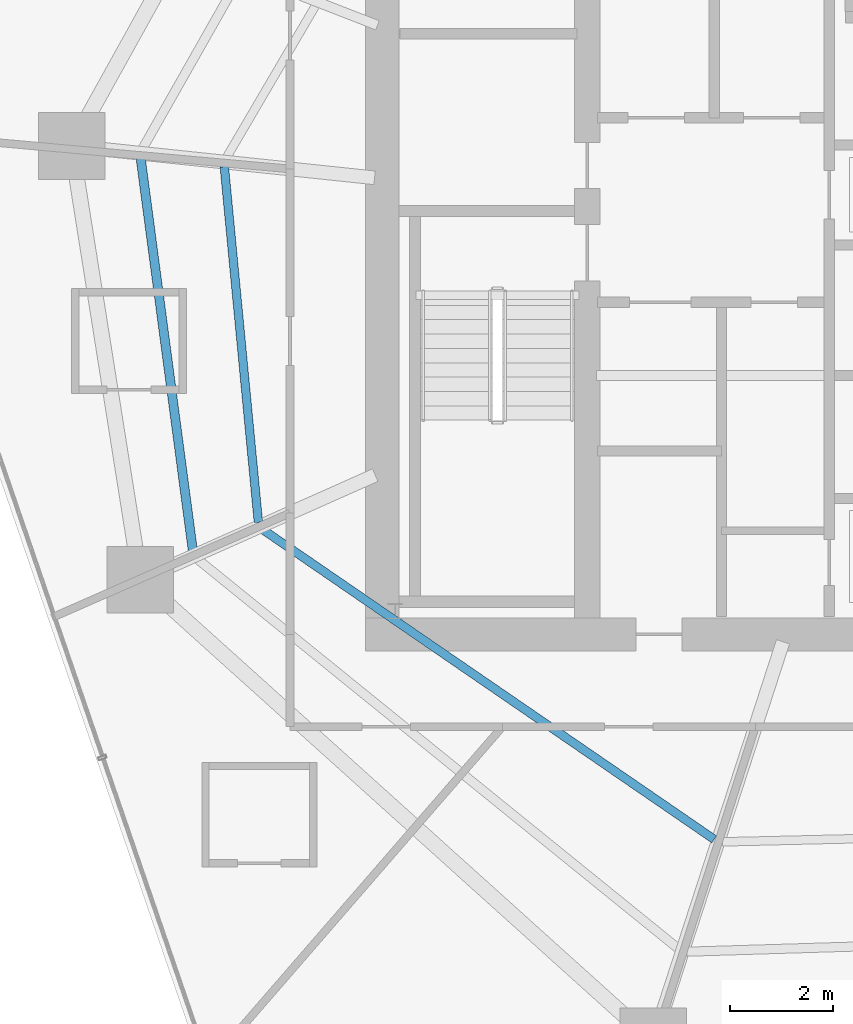
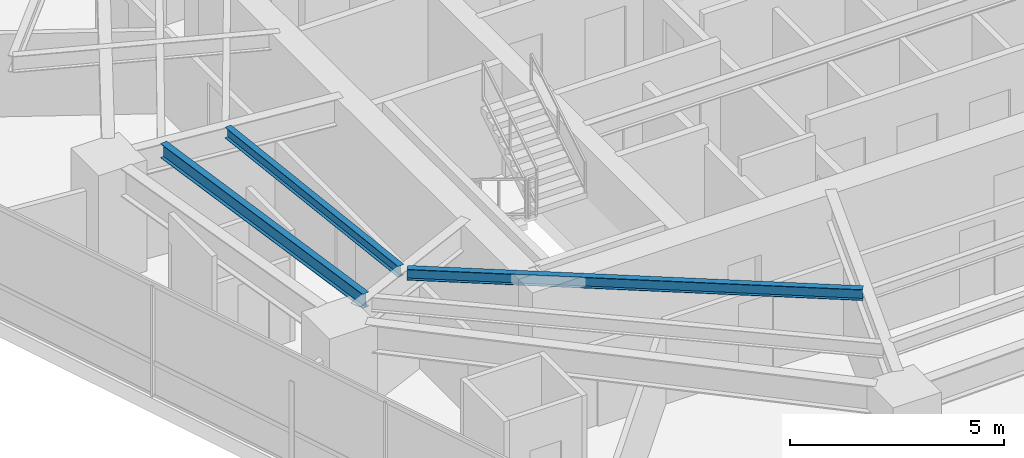
# One storey, part 8 of 33: 3 beams.
"""IFC4 building model written with IfcOpenShell, lengths in metres."""

from ifc_helpers import new_model, si_unit, direction, frame, origin, origin_2d, place, context, subcontext, project, spatial, i_section, extrude, material, material_profile, profile_set, type_object, element, save


model = new_model("IFC4")

# Units and contexts
model_context = context("Model", 3, precision=1e-05, world=origin(), true_north=direction((0.0, 1.0)))
body_context = subcontext(model_context, "Body", "Model", "MODEL_VIEW")
ifc_project = project(units=[si_unit("LENGTHUNIT", "METRE"), si_unit("AREAUNIT", "SQUARE_METRE"), si_unit("VOLUMEUNIT", "CUBIC_METRE"), si_unit("PLANEANGLEUNIT", "RADIAN"), si_unit("MASSUNIT", "GRAM", prefix="KILO")], contexts=[model_context])

# Site, building, storey
site_placement = place(None, origin())
site = spatial("IfcSite", under=ifc_project, at=site_placement, CompositionType="ELEMENT")
building_placement = place(site_placement, origin())
building = spatial("IfcBuilding", under=site, at=building_placement, Name="Qarnah Convention Tower", CompositionType="ELEMENT")
storey_placement = place(building_placement, frame((0.0, 0.0, 27.0)))
storey = spatial("IfcBuildingStorey", under=building, at=storey_placement, Name="L05", CompositionType="ELEMENT", Elevation=27.0)

# Beams
ifc_material = material(Name="Structural steel S355JR", Category="steel")
ifc_material_profile_1 = material_profile(ifc_material, i_section(OverallWidth=0.166015625, OverallDepth=0.31201171875, WebThickness=0.007080078125, FlangeThickness=0.010986328125, at=origin_2d()), Name="W310X45")
ifc_profile_set_1 = profile_set([ifc_material_profile_1], Name="Structural steel S355JR")
beam_type_1 = type_object("IfcBeamType", Name="BM-JST-W310", PredefinedType="JOIST", material=ifc_profile_set_1)
beam_1_placement = place(storey_placement, frame((23.718994140625, 27.72802734375, 3.013916015625), z_axis=(0.095390779358, -0.995439902361, 0.0), x_axis=(0.995439902361, 0.095390779358, 0.0)))
element("IfcBeam", 1, at=beam_1_placement, inside=storey, type_object=beam_type_1, Name="L05 joist BM-L05-IJST-05", PredefinedType="JOIST", context=body_context, shape_type="SweptSolid", body=[
    extrude(i_section(OverallWidth=0.166015625, OverallDepth=0.31201171875, WebThickness=0.007080078125, FlangeThickness=0.010986328125, at=origin_2d()), origin(), (0.0, 0.0, 1.0), 6.9716796875),
])
beam_2_placement = place(storey_placement, frame((24.467041015625, 20.64697265625, 3.013916015625), z_axis=(0.824529031088, -0.565819650501, 0.0), x_axis=(0.565819650501, 0.824529031088, 0.0)))
element("IfcBeam", 2, at=beam_2_placement, inside=storey, type_object=beam_type_1, Name="L05 joist BM-L05-IJST-06", PredefinedType="JOIST", context=body_context, shape_type="SweptSolid", body=[
    extrude(i_section(OverallWidth=0.166015625, OverallDepth=0.31201171875, WebThickness=0.007080078125, FlangeThickness=0.010986328125, at=origin_2d()), origin(), (0.0, 0.0, 1.0), 10.68359375),
])
ifc_material_profile_2 = material_profile(ifc_material, i_section(OverallWidth=0.177978515625, OverallDepth=0.407958984375, WebThickness=0.008056640625, FlangeThickness=0.012939453125, at=origin_2d()), Name="W410X60")
ifc_profile_set_2 = profile_set([ifc_material_profile_2], Name="Structural steel S355JR")
beam_type_2 = type_object("IfcBeamType", Name="BM-JST-W410", PredefinedType="JOIST", material=ifc_profile_set_2)
beam_3_placement = place(storey_placement, frame((22.0859375, 27.90087890625, 2.966064453125), z_axis=(0.131767448728, -0.99128065625, 0.0), x_axis=(0.99128065625, 0.131767448728, 0.0)))
element("IfcBeam", 3, at=beam_3_placement, inside=storey, type_object=beam_type_2, Name="L05 joist BM-L05-SJST-05", PredefinedType="JOIST", context=body_context, shape_type="SweptSolid", body=[
    extrude(i_section(OverallWidth=0.177978515625, OverallDepth=0.407958984375, WebThickness=0.008056640625, FlangeThickness=0.012939453125, at=origin_2d()), origin(), (0.0, 0.0, 1.0), 7.74853515625),
])

save(model, "model.ifc")
